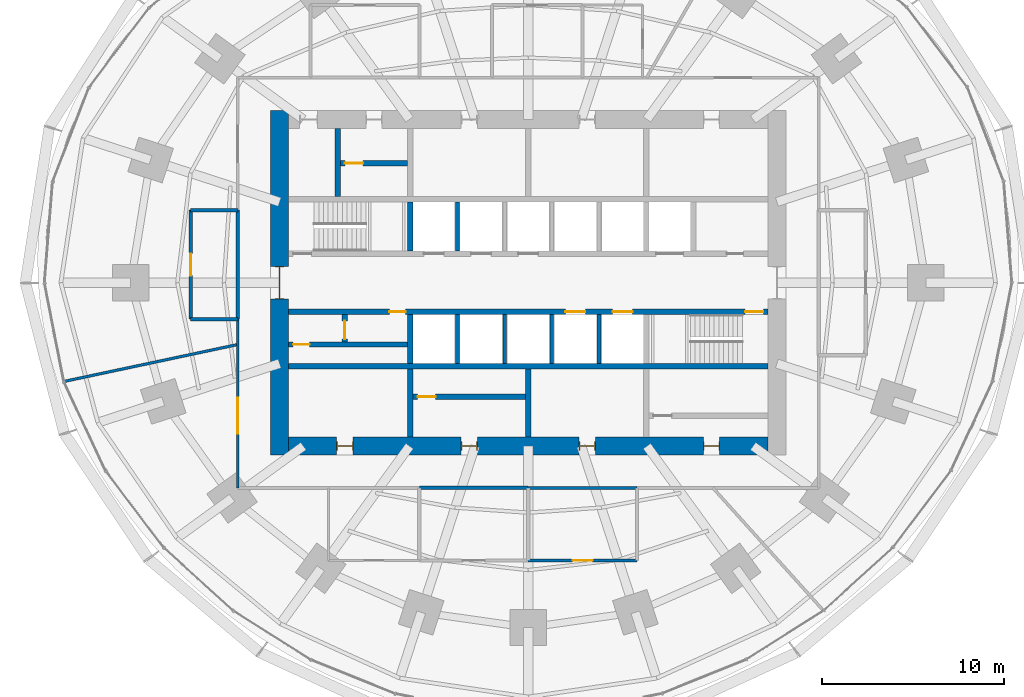
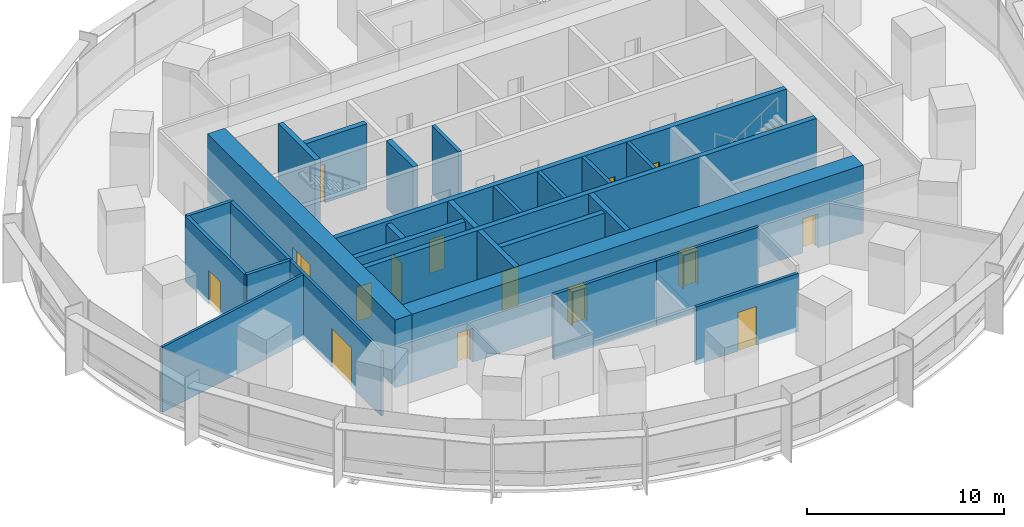
# One storey, part 11 of 15: 27 walls, 16 doors, 16 openings.
"""IFC4 building model written with IfcOpenShell, lengths in metres."""

from ifc_helpers import new_model, si_unit, direction, frame, frame_2d, origin, place, context, subcontext, project, spatial, rectangle, extrude, material, layer, layer_set, type_object, element, fill, save


model = new_model("IFC4")

# Units and contexts
model_context = context("Model", 3, precision=1e-05, world=origin(), true_north=direction((0.0, 1.0)))
body_context = subcontext(model_context, "Body", "Model", "MODEL_VIEW")
ifc_project = project(units=[si_unit("LENGTHUNIT", "METRE"), si_unit("AREAUNIT", "SQUARE_METRE"), si_unit("VOLUMEUNIT", "CUBIC_METRE"), si_unit("PLANEANGLEUNIT", "RADIAN"), si_unit("MASSUNIT", "GRAM", prefix="KILO")], contexts=[model_context])

# Site, building, storey
site_placement = place(None, origin())
site = spatial("IfcSite", under=ifc_project, at=site_placement, CompositionType="ELEMENT")
building_placement = place(site_placement, origin())
building = spatial("IfcBuilding", under=site, at=building_placement, Name="Marramba Exchange Tower", CompositionType="ELEMENT")
storey_placement = place(building_placement, frame((0.0, 0.0, 44.800048828125)))
storey = spatial("IfcBuildingStorey", under=building, at=storey_placement, Name="L10", CompositionType="ELEMENT", Elevation=44.800048828125)

# Wall, opening, door
ifc_material_1 = material(Name="Plasterboard on staggered double steel studs, acoustic insulation", Category="steel")
ifc_layer_1 = layer(ifc_material_1, 0.169921875)
ifc_layer_set_1 = layer_set([ifc_layer_1], Name="Acoustic partition 170")
wall_type_1 = type_object("IfcWallType", Name="Acoustic partition 170", PredefinedType="PARTITIONING", material=ifc_layer_set_1)
wall_1_placement = place(storey_placement, frame((0.0, -15.300048828125, 0.0), z_axis=(0.0, 0.0, 1.0), x_axis=(1.0, 0.0, 0.0)))
wall_1 = element("IfcWall", 1, at=wall_1_placement, inside=storey, type_object=wall_type_1, Name="Acoustic partition L10 11", PredefinedType="PARTITIONING", context=body_context, shape_type="SweptSolid", body=[
    extrude(rectangle(XDim=6.0, YDim=0.169921875, at=frame_2d((3.0, 0.0))), origin(), (0.0, 0.0, 1.0), 3.5859375),
])
opening_1_placement = place(wall_1_placement, frame((2.449951171875, 0.0, 0.0)))
opening_1 = element("IfcOpeningElement", 2, at=opening_1_placement, cuts=wall_1, Name="Opening D15", PredefinedType="OPENING", context=body_context, shape_type="SweptSolid", body=[
    extrude(rectangle(XDim=1.10009765625, YDim=2.39990234375, at=frame_2d((0.550048828125, 1.199951171875))), frame((0.0, 0.094970703125, 0.0), z_axis=(0.0, -1.0, 0.0), x_axis=(1.0, 0.0, 0.0)), (0.0, 0.0, 1.0), 0.18994140625),
])
ifc_material_2 = material(Name="Timber door", Category="wood")
door_type_1 = type_object("IfcDoorType", Name="Glazed meeting room door 1100x2400", OperationType="SINGLE_SWING_LEFT", PredefinedType="DOOR", material=ifc_material_2)
door_1_placement = place(opening_1_placement, origin())
door_1 = element("IfcDoor", 3, at=door_1_placement, inside=storey, type_object=door_type_1, Name="D15 Meeting Room 3 L10", OperationType="SINGLE_SWING_RIGHT", OverallHeight=2.39990234375, OverallWidth=1.10009765625, PredefinedType="DOOR", context=body_context, shape_type="SweptSolid", body=[
    extrude(rectangle(XDim=1.10009765625, YDim=2.39990234375, at=frame_2d((0.550048828125, 1.199951171875))), frame((0.0, 0.02490234375, 0.0), z_axis=(0.0, -1.0, 0.0), x_axis=(1.0, 0.0, 0.0)), (0.0, 0.0, 1.0), 0.050048828125),
])
fill(opening_1, door_1)

# Walls
wall_2_placement = place(storey_placement, frame((6.0, -11.300048828125, 0.0), z_axis=(0.0, 0.0, 1.0), x_axis=(-1.0, 0.0, 0.0)))
element("IfcWall", 4, at=wall_2_placement, inside=storey, type_object=wall_type_1, Name="Acoustic partition L10 12", PredefinedType="PARTITIONING", context=body_context, shape_type="SweptSolid", body=[
    extrude(rectangle(XDim=6.0, YDim=0.169921875, at=frame_2d((3.0, 0.0))), origin(), (0.0, 0.0, 1.0), 4.0400390625),
])
ifc_material_3 = material(Name="Concrete N50", Category="concrete")
ifc_layer_2 = layer(ifc_material_3, 0.199951171875)
ifc_layer_set_2 = layer_set([ifc_layer_2], Name="Core shaft wall 200")
wall_type_2 = type_object("IfcWallType", Name="Core shaft wall 200", PredefinedType="SHEAR", material=ifc_layer_set_2)
for number, where, z_axis, x_axis, name in (
    (5, (-3.89990234375, 1.75, 0.0), (0.0, 0.0, 1.0), (0.0, 1.0, 0.0), "Core wall SHN1 L10"),
    (6, (-3.89990234375, -1.75, 0.0), (0.0, 0.0, 1.0), (0.0, -1.0, 0.0), "Core wall SHS1 L10"),
    (7, (-1.300048828125, -1.75, 0.0), (0.0, 0.0, 1.0), (0.0, -1.0, 0.0), "Core wall SHS2 L10"),
    (8, (1.300048828125, -1.75, 0.0), (0.0, 0.0, 1.0), (0.0, -1.0, 0.0), "Core wall SHS3 L10"),
    (9, (3.89990234375, -1.75, 0.0), (0.0, 0.0, 1.0), (0.0, -1.0, 0.0), "Core wall SHS4 L10"),
):
    element("IfcWall", number, at=place(storey_placement, frame(where, z_axis=z_axis, x_axis=x_axis)), inside=storey, type_object=wall_type_2, Name=name, PredefinedType="SHEAR", context=body_context, shape_type="SweptSolid", body=[
        extrude(rectangle(XDim=2.699951171875, YDim=0.199951171875, at=frame_2d((1.35009765625, 0.0))), origin(), (0.0, 0.0, 1.0), 4.199951171875),
    ])

# Wall, openings, doors
ifc_layer_3 = layer(ifc_material_3, 1.0)
ifc_layer_set_3 = layer_set([ifc_layer_3], Name="Core wall 1000")
wall_type_3 = type_object("IfcWallType", Name="Core wall 1000", PredefinedType="SHEAR", material=ifc_layer_set_3)
wall_3_placement = place(storey_placement, frame((-13.199951171875, -9.0, 0.0), z_axis=(0.0, 0.0, 1.0), x_axis=(1.0, 0.0, 0.0)))
wall_3 = element("IfcWall", 10, at=wall_3_placement, inside=storey, type_object=wall_type_3, Name="Core wall S L10", PredefinedType="SHEAR", context=body_context, shape_type="SweptSolid", body=[
    extrude(rectangle(XDim=26.39990234375, YDim=1.0, at=frame_2d((13.199951171875, 0.0))), origin(), (0.0, 0.0, 1.0), 4.199951171875),
])
opening_2_placement = place(wall_3_placement, frame((2.64990234375, 0.0, 0.0)))
opening_2 = element("IfcOpeningElement", 11, at=opening_2_placement, cuts=wall_3, Name="Opening D5", PredefinedType="OPENING", context=body_context, shape_type="SweptSolid", body=[
    extrude(rectangle(XDim=0.89990234375, YDim=2.10009765625, at=frame_2d((0.449951171875, 1.050048828125))), frame((0.0, 0.510009765625, 0.0), z_axis=(0.0, -1.0, 0.0), x_axis=(1.0, 0.0, 0.0)), (0.0, 0.0, 1.0), 1.02001953125),
])
opening_3_placement = place(wall_3_placement, frame((9.5, 0.0, 0.0)))
opening_3 = element("IfcOpeningElement", 12, at=opening_3_placement, cuts=wall_3, Name="Opening D5", PredefinedType="OPENING", context=body_context, shape_type="SweptSolid", body=[
    extrude(rectangle(XDim=0.89990234375, YDim=2.10009765625, at=frame_2d((0.449951171875, 1.050048828125))), frame((0.0, 0.510009765625, 0.0), z_axis=(0.0, -1.0, 0.0), x_axis=(1.0, 0.0, 0.0)), (0.0, 0.0, 1.0), 1.02001953125),
])
opening_4_placement = place(wall_3_placement, frame((16.0, 0.0, 0.0)))
opening_4 = element("IfcOpeningElement", 13, at=opening_4_placement, cuts=wall_3, Name="Opening D5", PredefinedType="OPENING", context=body_context, shape_type="SweptSolid", body=[
    extrude(rectangle(XDim=0.89990234375, YDim=2.10009765625, at=frame_2d((0.449951171875, 1.050048828125))), frame((0.0, 0.510009765625, 0.0), z_axis=(0.0, -1.0, 0.0), x_axis=(1.0, 0.0, 0.0)), (0.0, 0.0, 1.0), 1.02001953125),
])
opening_5_placement = place(wall_3_placement, frame((22.85009765625, 0.0, 0.0)))
opening_5 = element("IfcOpeningElement", 14, at=opening_5_placement, cuts=wall_3, Name="Opening D5", PredefinedType="OPENING", context=body_context, shape_type="SweptSolid", body=[
    extrude(rectangle(XDim=0.89990234375, YDim=2.10009765625, at=frame_2d((0.449951171875, 1.050048828125))), frame((0.0, 0.510009765625, 0.0), z_axis=(0.0, -1.0, 0.0), x_axis=(1.0, 0.0, 0.0)), (0.0, 0.0, 1.0), 1.02001953125),
])
ifc_material_4 = material(Name="Steel-framed door", Category="steel")
door_type_2 = type_object("IfcDoorType", Name="Service door 900x2100", OperationType="SINGLE_SWING_LEFT", PredefinedType="DOOR", material=ifc_material_4)
door_2_placement = place(opening_2_placement, origin())
door_2 = element("IfcDoor", 15, at=door_2_placement, inside=storey, type_object=door_type_2, Name="D5 ahu L10", OperationType="SINGLE_SWING_LEFT", OverallHeight=2.10009765625, OverallWidth=0.89990234375, PredefinedType="DOOR", context=body_context, shape_type="SweptSolid", body=[
    extrude(rectangle(XDim=0.81982421875, YDim=2.06005859375, at=frame_2d((0.449951171875, 1.030029296875))), frame((0.0, 0.02490234375, 0.0), z_axis=(0.0, -1.0, 0.0), x_axis=(1.0, 0.0, 0.0)), (0.0, 0.0, 1.0), 0.050048828125),
    extrude(rectangle(XDim=0.04, YDim=2.10009765625, at=frame_2d((0.02001953125, 1.050048828125))), frame((0.0, 0.25, 0.0), z_axis=(0.0, -1.0, 0.0), x_axis=(1.0, 0.0, 0.0)), (0.0, 0.0, 1.0), 0.5),
    extrude(rectangle(XDim=0.04, YDim=2.10009765625, at=frame_2d((0.8798828125, 1.050048828125))), frame((0.0, 0.25, 0.0), z_axis=(0.0, -1.0, 0.0), x_axis=(1.0, 0.0, 0.0)), (0.0, 0.0, 1.0), 0.5),
    extrude(rectangle(XDim=0.81982421875, YDim=0.04, at=frame_2d((0.449951171875, 2.080078125))), frame((0.0, 0.25, 0.0), z_axis=(0.0, -1.0, 0.0), x_axis=(1.0, 0.0, 0.0)), (0.0, 0.0, 1.0), 0.5),
])
fill(opening_2, door_2)
door_3_placement = place(opening_3_placement, origin())
door_3 = element("IfcDoor", 16, at=door_3_placement, inside=storey, type_object=door_type_2, Name="D5 store L10", OperationType="SINGLE_SWING_RIGHT", OverallHeight=2.10009765625, OverallWidth=0.89990234375, PredefinedType="DOOR", context=body_context, shape_type="SweptSolid", body=[
    extrude(rectangle(XDim=0.81982421875, YDim=2.06005859375, at=frame_2d((0.449951171875, 1.030029296875))), frame((0.0, 0.02490234375, 0.0), z_axis=(0.0, -1.0, 0.0), x_axis=(1.0, 0.0, 0.0)), (0.0, 0.0, 1.0), 0.050048828125),
    extrude(rectangle(XDim=0.04, YDim=2.10009765625, at=frame_2d((0.02001953125, 1.050048828125))), frame((0.0, 0.25, 0.0), z_axis=(0.0, -1.0, 0.0), x_axis=(1.0, 0.0, 0.0)), (0.0, 0.0, 1.0), 0.5),
    extrude(rectangle(XDim=0.04, YDim=2.10009765625, at=frame_2d((0.8798828125, 1.050048828125))), frame((0.0, 0.25, 0.0), z_axis=(0.0, -1.0, 0.0), x_axis=(1.0, 0.0, 0.0)), (0.0, 0.0, 1.0), 0.5),
    extrude(rectangle(XDim=0.81982421875, YDim=0.04, at=frame_2d((0.449951171875, 2.080078125))), frame((0.0, 0.25, 0.0), z_axis=(0.0, -1.0, 0.0), x_axis=(1.0, 0.0, 0.0)), (0.0, 0.0, 1.0), 0.5),
])
fill(opening_3, door_3)
door_4_placement = place(opening_4_placement, origin())
door_4 = element("IfcDoor", 17, at=door_4_placement, inside=storey, type_object=door_type_2, Name="D5 switch L10", OperationType="SINGLE_SWING_RIGHT", OverallHeight=2.10009765625, OverallWidth=0.89990234375, PredefinedType="DOOR", context=body_context, shape_type="SweptSolid", body=[
    extrude(rectangle(XDim=0.81982421875, YDim=2.06005859375, at=frame_2d((0.449951171875, 1.030029296875))), frame((0.0, 0.02490234375, 0.0), z_axis=(0.0, -1.0, 0.0), x_axis=(1.0, 0.0, 0.0)), (0.0, 0.0, 1.0), 0.050048828125),
    extrude(rectangle(XDim=0.04, YDim=2.10009765625, at=frame_2d((0.02001953125, 1.050048828125))), frame((0.0, 0.25, 0.0), z_axis=(0.0, -1.0, 0.0), x_axis=(1.0, 0.0, 0.0)), (0.0, 0.0, 1.0), 0.5),
    extrude(rectangle(XDim=0.04, YDim=2.10009765625, at=frame_2d((0.8798828125, 1.050048828125))), frame((0.0, 0.25, 0.0), z_axis=(0.0, -1.0, 0.0), x_axis=(1.0, 0.0, 0.0)), (0.0, 0.0, 1.0), 0.5),
    extrude(rectangle(XDim=0.81982421875, YDim=0.04, at=frame_2d((0.449951171875, 2.080078125))), frame((0.0, 0.25, 0.0), z_axis=(0.0, -1.0, 0.0), x_axis=(1.0, 0.0, 0.0)), (0.0, 0.0, 1.0), 0.5),
])
fill(opening_4, door_4)
door_5_placement = place(opening_5_placement, origin())
door_5 = element("IfcDoor", 18, at=door_5_placement, inside=storey, type_object=door_type_2, Name="D5 cstore L10", OperationType="SINGLE_SWING_RIGHT", OverallHeight=2.10009765625, OverallWidth=0.89990234375, PredefinedType="DOOR", context=body_context, shape_type="SweptSolid", body=[
    extrude(rectangle(XDim=0.81982421875, YDim=2.06005859375, at=frame_2d((0.449951171875, 1.030029296875))), frame((0.0, 0.02490234375, 0.0), z_axis=(0.0, -1.0, 0.0), x_axis=(1.0, 0.0, 0.0)), (0.0, 0.0, 1.0), 0.050048828125),
    extrude(rectangle(XDim=0.04, YDim=2.10009765625, at=frame_2d((0.02001953125, 1.050048828125))), frame((0.0, 0.25, 0.0), z_axis=(0.0, -1.0, 0.0), x_axis=(1.0, 0.0, 0.0)), (0.0, 0.0, 1.0), 0.5),
    extrude(rectangle(XDim=0.04, YDim=2.10009765625, at=frame_2d((0.8798828125, 1.050048828125))), frame((0.0, 0.25, 0.0), z_axis=(0.0, -1.0, 0.0), x_axis=(1.0, 0.0, 0.0)), (0.0, 0.0, 1.0), 0.5),
    extrude(rectangle(XDim=0.81982421875, YDim=0.04, at=frame_2d((0.449951171875, 2.080078125))), frame((0.0, 0.25, 0.0), z_axis=(0.0, -1.0, 0.0), x_axis=(1.0, 0.0, 0.0)), (0.0, 0.0, 1.0), 0.5),
])
fill(opening_5, door_5)

# Wall, opening, door
wall_4_placement = place(storey_placement, frame((-13.699951171875, 9.5, 0.0), z_axis=(0.0, 0.0, 1.0), x_axis=(0.0, -1.0, 0.0)))
wall_4 = element("IfcWall", 19, at=wall_4_placement, inside=storey, type_object=wall_type_3, Name="Core wall W L10", PredefinedType="SHEAR", context=body_context, shape_type="SweptSolid", body=[
    extrude(rectangle(XDim=19.0, YDim=1.0, at=frame_2d((9.5, 0.0))), origin(), (0.0, 0.0, 1.0), 4.199951171875),
])
opening_6_placement = place(wall_4_placement, frame((8.60009765625, 0.0, 0.0)))
opening_6 = element("IfcOpeningElement", 20, at=opening_6_placement, cuts=wall_4, Name="Opening D1", PredefinedType="OPENING", context=body_context, shape_type="SweptSolid", body=[
    extrude(rectangle(XDim=1.800048828125, YDim=2.39990234375, at=frame_2d((0.89990234375, 1.199951171875))), frame((0.0, 0.510009765625, 0.0), z_axis=(0.0, -1.0, 0.0), x_axis=(1.0, 0.0, 0.0)), (0.0, 0.0, 1.0), 1.02001953125),
])
door_type_3 = type_object("IfcDoorType", Name="Lobby exit door 1800x2400", OperationType="DOUBLE_DOOR_SINGLE_SWING", PredefinedType="DOOR", material=ifc_material_4)
door_6_placement = place(opening_6_placement, origin())
door_6 = element("IfcDoor", 21, at=door_6_placement, inside=storey, type_object=door_type_3, Name="D1 lobby exit west L10", OperationType="DOUBLE_DOOR_SINGLE_SWING", OverallHeight=2.39990234375, OverallWidth=1.800048828125, PredefinedType="DOOR", context=body_context, shape_type="SweptSolid", body=[
    extrude(rectangle(XDim=1.719970703125, YDim=2.35986328125, at=frame_2d((0.89990234375, 1.179931640625))), frame((0.0, 0.02490234375, 0.0), z_axis=(0.0, -1.0, 0.0), x_axis=(1.0, 0.0, 0.0)), (0.0, 0.0, 1.0), 0.050048828125),
    extrude(rectangle(XDim=0.04, YDim=2.39990234375, at=frame_2d((0.02001953125, 1.199951171875))), frame((0.0, 0.25, 0.0), z_axis=(0.0, -1.0, 0.0), x_axis=(1.0, 0.0, 0.0)), (0.0, 0.0, 1.0), 0.5),
    extrude(rectangle(XDim=0.04, YDim=2.39990234375, at=frame_2d((1.780029296875, 1.199951171875))), frame((0.0, 0.25, 0.0), z_axis=(0.0, -1.0, 0.0), x_axis=(1.0, 0.0, 0.0)), (0.0, 0.0, 1.0), 0.5),
    extrude(rectangle(XDim=1.719970703125, YDim=0.04, at=frame_2d((0.89990234375, 2.3798828125))), frame((0.0, 0.25, 0.0), z_axis=(0.0, -1.0, 0.0), x_axis=(1.0, 0.0, 0.0)), (0.0, 0.0, 1.0), 0.5),
])
fill(opening_6, door_6)

# Wall, openings, doors
ifc_layer_4 = layer(ifc_material_3, 0.300048828125)
ifc_layer_set_4 = layer_set([ifc_layer_4], Name="Core wall 300")
wall_type_4 = type_object("IfcWallType", Name="Core wall 300", PredefinedType="SHEAR", material=ifc_layer_set_4)
wall_5_placement = place(storey_placement, frame((-13.199951171875, -1.60009765625, 0.0), z_axis=(0.0, 0.0, 1.0), x_axis=(1.0, 0.0, 0.0)))
wall_5 = element("IfcWall", 22, at=wall_5_placement, inside=storey, type_object=wall_type_4, Name="Core wall LS L10", PredefinedType="SHEAR", context=body_context, shape_type="SweptSolid", body=[
    extrude(rectangle(XDim=26.39990234375, YDim=0.300048828125, at=frame_2d((13.199951171875, 0.0))), origin(), (0.0, 0.0, 1.0), 4.199951171875),
])
opening_7_placement = place(wall_5_placement, frame((25.14990234375, 0.0, 0.0)))
opening_7 = element("IfcOpeningElement", 23, at=opening_7_placement, cuts=wall_5, Name="Opening D2", PredefinedType="OPENING", context=body_context, shape_type="SweptSolid", body=[
    extrude(rectangle(XDim=1.0, YDim=2.10009765625, at=frame_2d((0.5, 1.050048828125))), frame((0.0, 0.159912109375, 0.0), z_axis=(0.0, -1.0, 0.0), x_axis=(1.0, 0.0, 0.0)), (0.0, 0.0, 1.0), 0.320068359375),
])
opening_8_placement = place(wall_5_placement, frame((15.25, 0.0, 0.0)))
opening_8 = element("IfcOpeningElement", 24, at=opening_8_placement, cuts=wall_5, Name="Opening LD2", PredefinedType="OPENING", context=body_context, shape_type="SweptSolid", body=[
    extrude(rectangle(XDim=1.10009765625, YDim=2.300048828125, at=frame_2d((0.550048828125, 1.14990234375))), frame((0.0, 0.159912109375, 0.0), z_axis=(0.0, -1.0, 0.0), x_axis=(1.0, 0.0, 0.0)), (0.0, 0.0, 1.0), 0.320068359375),
])
opening_9_placement = place(wall_5_placement, frame((17.85009765625, 0.0, 0.0)))
opening_9 = element("IfcOpeningElement", 25, at=opening_9_placement, cuts=wall_5, Name="Opening LD2", PredefinedType="OPENING", context=body_context, shape_type="SweptSolid", body=[
    extrude(rectangle(XDim=1.10009765625, YDim=2.300048828125, at=frame_2d((0.550048828125, 1.14990234375))), frame((0.0, 0.159912109375, 0.0), z_axis=(0.0, -1.0, 0.0), x_axis=(1.0, 0.0, 0.0)), (0.0, 0.0, 1.0), 0.320068359375),
])
opening_10_placement = place(wall_5_placement, frame((5.550048828125, 0.0, 0.0)))
opening_10 = element("IfcOpeningElement", 26, at=opening_10_placement, cuts=wall_5, Name="Opening D5", PredefinedType="OPENING", context=body_context, shape_type="SweptSolid", body=[
    extrude(rectangle(XDim=0.89990234375, YDim=2.10009765625, at=frame_2d((0.449951171875, 1.050048828125))), frame((0.0, 0.159912109375, 0.0), z_axis=(0.0, -1.0, 0.0), x_axis=(1.0, 0.0, 0.0)), (0.0, 0.0, 1.0), 0.320068359375),
])
door_type_4 = type_object("IfcDoorType", Name="Emergency lift landing door 1100x2300", OperationType="SLIDING_TO_LEFT", PredefinedType="DOOR", material=ifc_material_4)
door_7_placement = place(opening_8_placement, frame((1.10009765625, 0.0, 0.0), z_axis=(0.0, 0.0, 1.0), x_axis=(-1.0, 0.0, 0.0)))
door_7 = element("IfcDoor", 27, at=door_7_placement, inside=storey, type_object=door_type_4, Name="FL1 landing door L10", OperationType="SLIDING_TO_RIGHT", OverallHeight=2.300048828125, OverallWidth=1.10009765625, PredefinedType="DOOR", context=body_context, shape_type="SweptSolid", body=[
    extrude(rectangle(XDim=1.10009765625, YDim=2.300048828125, at=frame_2d((0.550048828125, 1.14990234375))), frame((0.0, 0.025146484375, 0.0), z_axis=(0.0, -1.0, 0.0), x_axis=(1.0, 0.0, 0.0)), (0.0, 0.0, 1.0), 0.050048828125),
])
fill(opening_8, door_7)
door_8_placement = place(opening_9_placement, frame((1.10009765625, 0.0, 0.0), z_axis=(0.0, 0.0, 1.0), x_axis=(-1.0, 0.0, 0.0)))
door_8 = element("IfcDoor", 28, at=door_8_placement, inside=storey, type_object=door_type_4, Name="FL2 landing door L10", OperationType="SLIDING_TO_LEFT", OverallHeight=2.300048828125, OverallWidth=1.10009765625, PredefinedType="DOOR", context=body_context, shape_type="SweptSolid", body=[
    extrude(rectangle(XDim=1.10009765625, YDim=2.300048828125, at=frame_2d((0.550048828125, 1.14990234375))), frame((0.0, 0.025146484375, 0.0), z_axis=(0.0, -1.0, 0.0), x_axis=(1.0, 0.0, 0.0)), (0.0, 0.0, 1.0), 0.050048828125),
])
fill(opening_9, door_8)
door_9_placement = place(opening_10_placement, frame((0.89990234375, 0.0, 0.0), z_axis=(0.0, 0.0, 1.0), x_axis=(-1.0, 0.0, 0.0)))
door_9 = element("IfcDoor", 29, at=door_9_placement, inside=storey, type_object=door_type_2, Name="D5 electrical riser L10", OperationType="SINGLE_SWING_LEFT", OverallHeight=2.10009765625, OverallWidth=0.89990234375, PredefinedType="DOOR", context=body_context, shape_type="SweptSolid", body=[
    extrude(rectangle(XDim=0.89990234375, YDim=2.10009765625, at=frame_2d((0.449951171875, 1.050048828125))), frame((0.0, 0.025146484375, 0.0), z_axis=(0.0, -1.0, 0.0), x_axis=(1.0, 0.0, 0.0)), (0.0, 0.0, 1.0), 0.050048828125),
])
fill(opening_10, door_9)
door_type_5 = type_object("IfcDoorType", Name="Stair door 1000x2100", OperationType="SINGLE_SWING_LEFT", PredefinedType="DOOR", material=ifc_material_4)
door_10_placement = place(opening_7_placement, frame((1.0, 0.0, 0.0), z_axis=(0.0, 0.0, 1.0), x_axis=(-1.0, 0.0, 0.0)))
door_10 = element("IfcDoor", 30, at=door_10_placement, inside=storey, type_object=door_type_5, Name="D2 stair ST2 L10", OperationType="SINGLE_SWING_LEFT", OverallHeight=2.10009765625, OverallWidth=1.0, PredefinedType="DOOR", context=body_context, shape_type="SweptSolid", body=[
    extrude(rectangle(XDim=1.0, YDim=2.10009765625, at=frame_2d((0.5, 1.050048828125))), frame((0.0, 0.025146484375, 0.0), z_axis=(0.0, -1.0, 0.0), x_axis=(1.0, 0.0, 0.0)), (0.0, 0.0, 1.0), 0.050048828125),
])
fill(opening_7, door_10)

# Walls
wall_6_placement = place(storey_placement, frame((-13.199951171875, -4.60009765625, 0.0), z_axis=(0.0, 0.0, 1.0), x_axis=(1.0, 0.0, 0.0)))
element("IfcWall", 31, at=wall_6_placement, inside=storey, type_object=wall_type_4, Name="Core wall BS L10", PredefinedType="SHEAR", context=body_context, shape_type="SweptSolid", body=[
    extrude(rectangle(XDim=26.39990234375, YDim=0.300048828125, at=frame_2d((13.199951171875, 0.0))), origin(), (0.0, 0.0, 1.0), 4.199951171875),
])
for number, where, z_axis, x_axis, name in (
    (32, (-6.5, 1.75, 0.0), (0.0, 0.0, 1.0), (0.0, 1.0, 0.0), "Core wall X0Na L10"),
    (33, (-6.5, -1.75, 0.0), (0.0, 0.0, 1.0), (0.0, -1.0, 0.0), "Core wall X0Sa L10"),
):
    element("IfcWall", number, at=place(storey_placement, frame(where, z_axis=z_axis, x_axis=x_axis)), inside=storey, type_object=wall_type_4, Name=name, PredefinedType="SHEAR", context=body_context, shape_type="SweptSolid", body=[
        extrude(rectangle(XDim=2.699951171875, YDim=0.300048828125, at=frame_2d((1.35009765625, 0.0))), origin(), (0.0, 0.0, 1.0), 4.199951171875),
    ])
for number, where, z_axis, x_axis, name in (
    (34, (-6.5, -4.75, 0.0), (0.0, 0.0, 1.0), (0.0, -1.0, 0.0), "Core wall X0Sb L10"),
    (35, (0.0, -4.75, 0.0), (0.0, 0.0, 1.0), (0.0, -1.0, 0.0), "Core wall MS L10"),
    (36, (-10.5, 4.75, 0.0), (0.0, 0.0, 1.0), (0.0, 1.0, 0.0), "Core wall WD L10"),
):
    element("IfcWall", number, at=place(storey_placement, frame(where, z_axis=z_axis, x_axis=x_axis)), inside=storey, type_object=wall_type_4, Name=name, PredefinedType="SHEAR", context=body_context, shape_type="SweptSolid", body=[
        extrude(rectangle(XDim=3.75, YDim=0.300048828125, at=frame_2d((1.875, 0.0))), origin(), (0.0, 0.0, 1.0), 4.199951171875),
    ])
ifc_material_5 = material(Name="Core-filled concrete blockwork, rendered", Category="masonry")
ifc_layer_5 = layer(ifc_material_5, 0.18994140625)
ifc_layer_set_5 = layer_set([ifc_layer_5], Name="Equipment room wall 190")
wall_type_5 = type_object("IfcWallType", Name="Equipment room wall 190", PredefinedType="SOLIDWALL", material=ifc_layer_set_5)
wall_7_placement = place(storey_placement, frame((-18.60009765625, -2.0, 0.0), z_axis=(0.0, 0.0, 1.0), x_axis=(1.0, 0.0, 0.0)))
element("IfcWall", 37, at=wall_7_placement, inside=storey, type_object=wall_type_5, Name="Equipment room wall L10 01", PredefinedType="SOLIDWALL", context=body_context, shape_type="SweptSolid", body=[
    extrude(rectangle(XDim=2.60009765625, YDim=0.18994140625, at=frame_2d((1.300048828125, 0.0))), origin(), (0.0, 0.0, 1.0), 4.0400390625),
])
wall_8_placement = place(storey_placement, frame((0.0, -11.300048828125, 0.0), z_axis=(0.0, 0.0, 1.0), x_axis=(-1.0, 0.0, 0.0)))
element("IfcWall", 38, at=wall_8_placement, inside=storey, type_object=wall_type_5, Name="Equipment room wall L10 08", PredefinedType="SOLIDWALL", context=body_context, shape_type="SweptSolid", body=[
    extrude(rectangle(XDim=6.0, YDim=0.18994140625, at=frame_2d((3.0, 0.0))), origin(), (0.0, 0.0, 1.0), 4.0400390625),
])
wall_9_placement = place(storey_placement, frame((-16.0, 4.0, 0.0), z_axis=(0.0, 0.0, 1.0), x_axis=(-1.0, 0.0, 0.0)))
element("IfcWall", 39, at=wall_9_placement, inside=storey, type_object=wall_type_5, Name="Equipment room wall L10 37", PredefinedType="SOLIDWALL", context=body_context, shape_type="SweptSolid", body=[
    extrude(rectangle(XDim=2.60009765625, YDim=0.18994140625, at=frame_2d((1.300048828125, 0.0))), origin(), (0.0, 0.0, 1.0), 4.0400390625),
])
wall_10_placement = place(storey_placement, frame((-16.0, -2.0, 0.0), z_axis=(0.0, 0.0, 1.0), x_axis=(0.0, 1.0, 0.0)))
element("IfcWall", 40, at=wall_10_placement, inside=storey, type_object=wall_type_5, Name="Equipment room wall L10 38", PredefinedType="SOLIDWALL", context=body_context, shape_type="SweptSolid", body=[
    extrude(rectangle(XDim=6.0, YDim=0.18994140625, at=frame_2d((3.0, 0.0))), origin(), (0.0, 0.0, 1.0), 4.0400390625),
])

# Wall, opening, door
wall_11_placement = place(storey_placement, frame((-18.60009765625, 4.0, 0.0), z_axis=(0.0, 0.0, 1.0), x_axis=(0.0, -1.0, 0.0)))
wall_11 = element("IfcWall", 41, at=wall_11_placement, inside=storey, type_object=wall_type_5, Name="Equipment room wall L10 39", PredefinedType="SOLIDWALL", context=body_context, shape_type="SweptSolid", body=[
    extrude(rectangle(XDim=6.0, YDim=0.18994140625, at=frame_2d((3.0, 0.0))), origin(), (0.0, 0.0, 1.0), 4.0400390625),
])
opening_11_placement = place(wall_11_placement, frame((2.39990234375, 0.0, 0.0)))
opening_11 = element("IfcOpeningElement", 42, at=opening_11_placement, cuts=wall_11, Name="Opening D16", PredefinedType="OPENING", context=body_context, shape_type="SweptSolid", body=[
    extrude(rectangle(XDim=1.199951171875, YDim=2.10009765625, at=frame_2d((0.60009765625, 1.050048828125))), frame((0.0, 0.10498046875, 0.0), z_axis=(0.0, -1.0, 0.0), x_axis=(1.0, 0.0, 0.0)), (0.0, 0.0, 1.0), 0.2099609375),
])
door_type_6 = type_object("IfcDoorType", Name="Equipment room door 1200x2100", OperationType="SINGLE_SWING_LEFT", PredefinedType="DOOR", material=ifc_material_4)
door_11_placement = place(opening_11_placement, origin())
door_11 = element("IfcDoor", 43, at=door_11_placement, inside=storey, type_object=door_type_6, Name="D16 Data Room 2 L10", OperationType="SINGLE_SWING_RIGHT", OverallHeight=2.10009765625, OverallWidth=1.199951171875, PredefinedType="DOOR", context=body_context, shape_type="SweptSolid", body=[
    extrude(rectangle(XDim=1.199951171875, YDim=2.10009765625, at=frame_2d((0.60009765625, 1.050048828125))), frame((0.0, 0.02490234375, 0.0), z_axis=(0.0, -1.0, 0.0), x_axis=(1.0, 0.0, 0.0)), (0.0, 0.0, 1.0), 0.050048828125),
])
fill(opening_11, door_11)

ifc_material_6 = material(Name="Core-filled concrete blockwork", Category="masonry")
ifc_layer_6 = layer(ifc_material_6, 0.300048828125)
ifc_layer_set_6 = layer_set([ifc_layer_6], Name="Riser enclosure wall 300")
wall_type_6 = type_object("IfcWallType", Name="Riser enclosure wall 300", PredefinedType="SOLIDWALL", material=ifc_layer_set_6)
wall_12_placement = place(storey_placement, frame((-13.199951171875, -3.39990234375, 0.0), z_axis=(0.0, 0.0, 1.0), x_axis=(1.0, 0.0, 0.0)))
wall_12 = element("IfcWall", 44, at=wall_12_placement, inside=storey, type_object=wall_type_6, Name="Riser enclosure wall L10", PredefinedType="SOLIDWALL", context=body_context, shape_type="SweptSolid", body=[
    extrude(rectangle(XDim=6.550048828125, YDim=0.300048828125, at=frame_2d((3.27490234375, 0.0))), origin(), (0.0, 0.0, 1.0), 4.0400390625),
])
opening_12_placement = place(wall_12_placement, frame((0.25, 0.0, 0.0)))
opening_12 = element("IfcOpeningElement", 45, at=opening_12_placement, cuts=wall_12, Name="Opening D5", PredefinedType="OPENING", context=body_context, shape_type="SweptSolid", body=[
    extrude(rectangle(XDim=0.89990234375, YDim=2.10009765625, at=frame_2d((0.449951171875, 1.050048828125))), frame((0.0, 0.159912109375, 0.0), z_axis=(0.0, -1.0, 0.0), x_axis=(1.0, 0.0, 0.0)), (0.0, 0.0, 1.0), 0.320068359375),
])
door_12_placement = place(opening_12_placement, origin())
door_12 = element("IfcDoor", 46, at=door_12_placement, inside=storey, type_object=door_type_2, Name="D5 electrical riser back L10", OperationType="SINGLE_SWING_LEFT", OverallHeight=2.10009765625, OverallWidth=0.89990234375, PredefinedType="DOOR", context=body_context, shape_type="SweptSolid", body=[
    extrude(rectangle(XDim=0.89990234375, YDim=2.10009765625, at=frame_2d((0.449951171875, 1.050048828125))), frame((0.0, 0.02490234375, 0.0), z_axis=(0.0, -1.0, 0.0), x_axis=(1.0, 0.0, 0.0)), (0.0, 0.0, 1.0), 0.050048828125),
])
fill(opening_12, door_12)

ifc_material_7 = material(Name="Plasterboard on steel studs, insulated, unrated", Category="steel")
ifc_layer_7 = layer(ifc_material_7, 0.300048828125)
ifc_layer_set_7 = layer_set([ifc_layer_7], Name="Store partition 300")
wall_type_7 = type_object("IfcWallType", Name="Store partition 300", PredefinedType="PARTITIONING", material=ifc_layer_set_7)
wall_13_placement = place(storey_placement, frame((-10.35009765625, 6.580078125, 0.0), z_axis=(0.0, 0.0, 1.0), x_axis=(1.0, 0.0, 0.0)))
wall_13 = element("IfcWall", 47, at=wall_13_placement, inside=storey, type_object=wall_type_7, Name="Store partition L10 cleaner", PredefinedType="PARTITIONING", context=body_context, shape_type="SweptSolid", body=[
    extrude(rectangle(XDim=3.7001953125, YDim=0.300048828125, at=frame_2d((1.85009765625, 0.0))), origin(), (0.0, 0.0, 1.0), 4.0400390625),
])
opening_13_placement = place(wall_13_placement, frame((0.25, 0.0, 0.0)))
opening_13 = element("IfcOpeningElement", 48, at=opening_13_placement, cuts=wall_13, Name="Opening D9", PredefinedType="OPENING", context=body_context, shape_type="SweptSolid", body=[
    extrude(rectangle(XDim=1.0, YDim=2.39990234375, at=frame_2d((0.5, 1.199951171875))), frame((0.0, 0.159912109375, 0.0), z_axis=(0.0, -1.0, 0.0), x_axis=(1.0, 0.0, 0.0)), (0.0, 0.0, 1.0), 0.320068359375),
])
door_type_7 = type_object("IfcDoorType", Name="Room door 1000x2400", OperationType="SINGLE_SWING_LEFT", PredefinedType="DOOR", material=ifc_material_2)
door_13_placement = place(opening_13_placement, frame((1.0, 0.0, 0.0), z_axis=(0.0, 0.0, 1.0), x_axis=(-1.0, 0.0, 0.0)))
door_13 = element("IfcDoor", 49, at=door_13_placement, inside=storey, type_object=door_type_7, Name="D9 cleaning store L10", OperationType="SINGLE_SWING_RIGHT", OverallHeight=2.39990234375, OverallWidth=1.0, PredefinedType="DOOR", context=body_context, shape_type="SweptSolid", body=[
    extrude(rectangle(XDim=1.0, YDim=2.39990234375, at=frame_2d((0.5, 1.199951171875))), frame((0.0, 0.025146484375, 0.0), z_axis=(0.0, -1.0, 0.0), x_axis=(1.0, 0.0, 0.0)), (0.0, 0.0, 1.0), 0.050048828125),
])
fill(opening_13, door_13)

wall_14_placement = place(storey_placement, frame((-6.35009765625, -6.27197265625, 0.0), z_axis=(0.0, 0.0, 1.0), x_axis=(1.0, 0.0, 0.0)))
wall_14 = element("IfcWall", 50, at=wall_14_placement, inside=storey, type_object=wall_type_7, Name="Store partition L10 store", PredefinedType="PARTITIONING", context=body_context, shape_type="SweptSolid", body=[
    extrude(rectangle(XDim=6.2001953125, YDim=0.300048828125, at=frame_2d((3.10009765625, 0.0))), origin(), (0.0, 0.0, 1.0), 4.0400390625),
])
opening_14_placement = place(wall_14_placement, frame((0.25, 0.0, 0.0)))
opening_14 = element("IfcOpeningElement", 51, at=opening_14_placement, cuts=wall_14, Name="Opening D9", PredefinedType="OPENING", context=body_context, shape_type="SweptSolid", body=[
    extrude(rectangle(XDim=1.0, YDim=2.39990234375, at=frame_2d((0.5, 1.199951171875))), frame((0.0, 0.159912109375, 0.0), z_axis=(0.0, -1.0, 0.0), x_axis=(1.0, 0.0, 0.0)), (0.0, 0.0, 1.0), 0.320068359375),
])
door_14_placement = place(opening_14_placement, origin())
door_14 = element("IfcDoor", 52, at=door_14_placement, inside=storey, type_object=door_type_7, Name="D9 stationery store L10", OperationType="SINGLE_SWING_LEFT", OverallHeight=2.39990234375, OverallWidth=1.0, PredefinedType="DOOR", context=body_context, shape_type="SweptSolid", body=[
    extrude(rectangle(XDim=1.0, YDim=2.39990234375, at=frame_2d((0.5, 1.199951171875))), frame((0.0, 0.02490234375, 0.0), z_axis=(0.0, -1.0, 0.0), x_axis=(1.0, 0.0, 0.0)), (0.0, 0.0, 1.0), 0.050048828125),
])
fill(opening_14, door_14)

wall_15_placement = place(storey_placement, frame((-10.10009765625, -3.25, 0.0), z_axis=(0.0, 0.0, 1.0), x_axis=(0.0, 1.0, 0.0)))
wall_15 = element("IfcWall", 53, at=wall_15_placement, inside=storey, type_object=wall_type_7, Name="Store partition L10 tool store", PredefinedType="PARTITIONING", context=body_context, shape_type="SweptSolid", body=[
    extrude(rectangle(XDim=1.5, YDim=0.300048828125, at=frame_2d((0.75, 0.0))), origin(), (0.0, 0.0, 1.0), 4.0400390625),
])
opening_15_placement = place(wall_15_placement, frame((0.14990234375, 0.0, 0.0)))
opening_15 = element("IfcOpeningElement", 54, at=opening_15_placement, cuts=wall_15, Name="Opening D9", PredefinedType="OPENING", context=body_context, shape_type="SweptSolid", body=[
    extrude(rectangle(XDim=1.0, YDim=2.39990234375, at=frame_2d((0.5, 1.199951171875))), frame((0.0, 0.159912109375, 0.0), z_axis=(0.0, -1.0, 0.0), x_axis=(1.0, 0.0, 0.0)), (0.0, 0.0, 1.0), 0.320068359375),
])
door_15_placement = place(opening_15_placement, origin())
door_15 = element("IfcDoor", 55, at=door_15_placement, inside=storey, type_object=door_type_7, Name="D9 tool store L10", OperationType="SINGLE_SWING_LEFT", OverallHeight=2.39990234375, OverallWidth=1.0, PredefinedType="DOOR", context=body_context, shape_type="SweptSolid", body=[
    extrude(rectangle(XDim=1.0, YDim=2.39990234375, at=frame_2d((0.5, 1.199951171875))), frame((0.0, 0.02490234375, 0.0), z_axis=(0.0, -1.0, 0.0), x_axis=(1.0, 0.0, 0.0)), (0.0, 0.0, 1.0), 0.050048828125),
])
fill(opening_15, door_15)

# Wall
ifc_material_8 = material(Name="Fire-rated plasterboard on steel studs, acoustic insulation", Category="steel")
ifc_layer_8 = layer(ifc_material_8, 0.14990234375)
ifc_layer_set_8 = layer_set([ifc_layer_8], Name="Tenancy wall 150")
wall_type_8 = type_object("IfcWallType", Name="Tenancy wall 150", PredefinedType="PARTITIONING", material=ifc_layer_set_8)
wall_16_placement = place(storey_placement, frame((-16.0, -3.40087890625, 0.0), z_axis=(0.0, 0.0, 1.0), x_axis=(-0.978145186273, -0.207923049637, 0.0)))
element("IfcWall", 56, at=wall_16_placement, inside=storey, type_object=wall_type_8, Name="Tenancy wall L10 02", PredefinedType="PARTITIONING", context=body_context, shape_type="SweptSolid", body=[
    extrude(rectangle(XDim=9.71875, YDim=0.14990234375, at=frame_2d((4.859375, 0.0))), origin(), (0.0, 0.0, 1.0), 4.0400390625),
])

# Wall, opening, door
wall_17_placement = place(storey_placement, frame((-16.0, -2.0, 0.0), z_axis=(0.0, 0.0, 1.0), x_axis=(0.0, -1.0, 0.0)))
wall_17 = element("IfcWall", 57, at=wall_17_placement, inside=storey, type_object=wall_type_8, Name="Tenancy wall L10 03", PredefinedType="PARTITIONING", context=body_context, shape_type="SweptSolid", body=[
    extrude(rectangle(XDim=9.300048828125, YDim=0.14990234375, at=frame_2d((4.64990234375, 0.0))), origin(), (0.0, 0.0, 1.0), 4.0400390625),
])
opening_16_placement = place(wall_17_placement, frame((4.324951171875, 0.0, 0.0)))
opening_16 = element("IfcOpeningElement", 58, at=opening_16_placement, cuts=wall_17, Name="Opening D17", PredefinedType="OPENING", context=body_context, shape_type="SweptSolid", body=[
    extrude(rectangle(XDim=2.0, YDim=2.39990234375, at=frame_2d((1.0, 1.199951171875))), frame((0.0, 0.0849609375, 0.0), z_axis=(0.0, -1.0, 0.0), x_axis=(1.0, 0.0, 0.0)), (0.0, 0.0, 1.0), 0.169921875),
])
door_type_8 = type_object("IfcDoorType", Name="Trading floor entry door pair 2000x2400", OperationType="DOUBLE_DOOR_SINGLE_SWING", PredefinedType="DOOR", material=ifc_material_4)
door_16_placement = place(opening_16_placement, origin())
door_16 = element("IfcDoor", 59, at=door_16_placement, inside=storey, type_object=door_type_8, Name="D17 Trading Floor 3 L10", OperationType="DOUBLE_DOOR_SINGLE_SWING", OverallHeight=2.39990234375, OverallWidth=2.0, PredefinedType="DOOR", context=body_context, shape_type="SweptSolid", body=[
    extrude(rectangle(XDim=2.0, YDim=2.39990234375, at=frame_2d((1.0, 1.199951171875))), frame((0.0, 0.02490234375, 0.0), z_axis=(0.0, -1.0, 0.0), x_axis=(1.0, 0.0, 0.0)), (0.0, 0.0, 1.0), 0.050048828125),
])
fill(opening_16, door_16)

save(model, "model.ifc")
